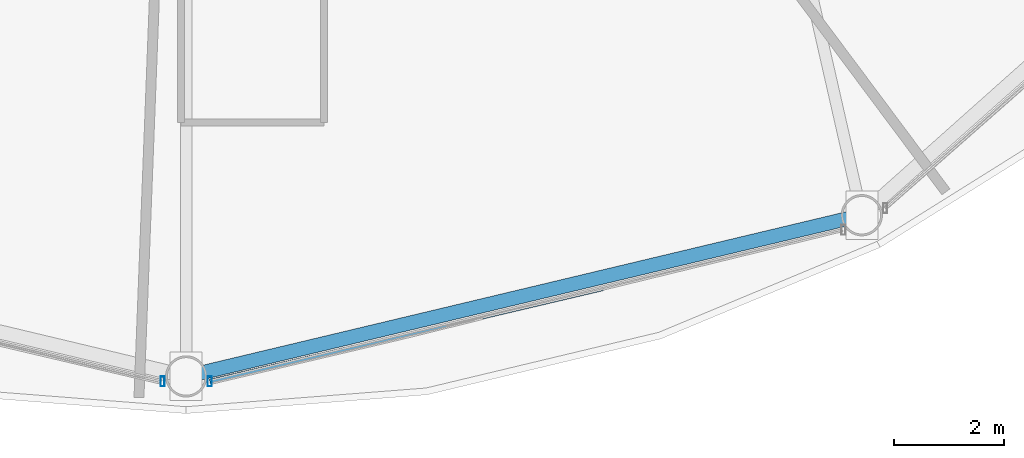
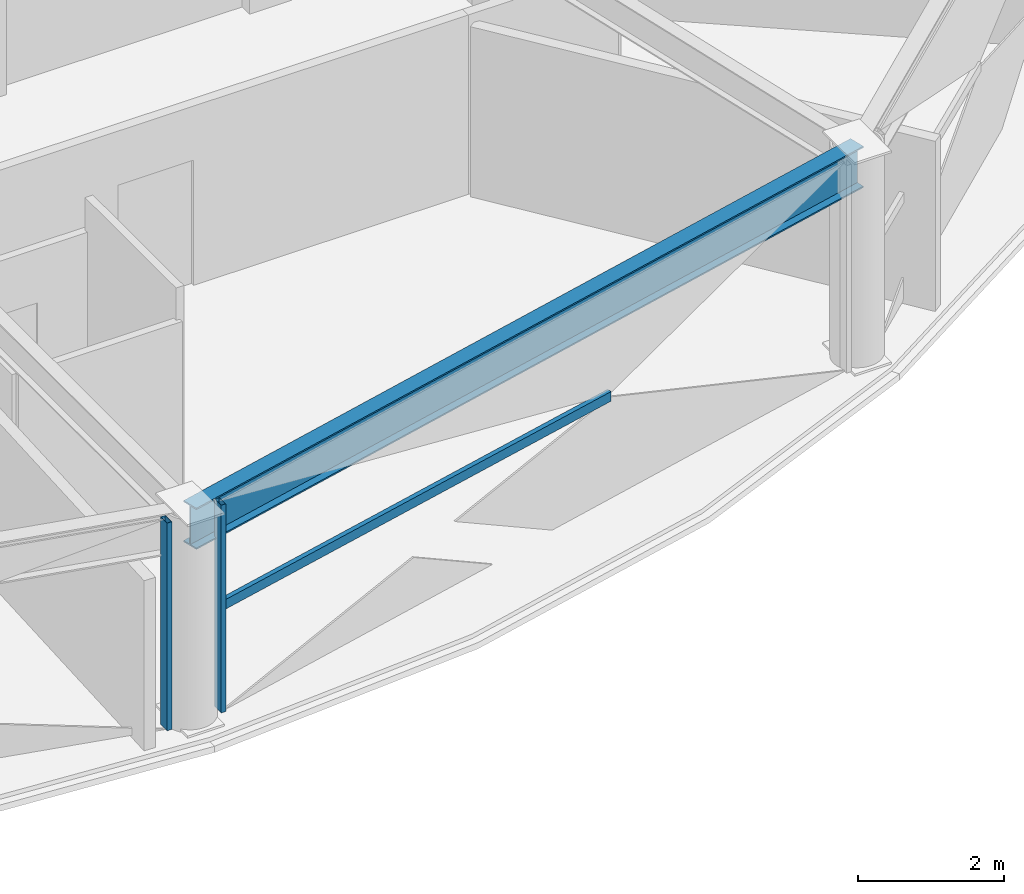
# One storey, part 5 of 29: 3 members, 1 beam, 2 elements without a shape of their own.
"""IFC4 building model written with IfcOpenShell, lengths in metres."""

from ifc_helpers import new_model, si_unit, direction, frame, origin, origin_2d, place, context, subcontext, project, spatial, hollow_rectangle, i_section, extrude, material, layer, layer_set, material_profile, profile_set, type_object, element, aggregate, save


model = new_model("IFC4")

# Units and contexts
model_context = context("Model", 3, precision=1e-05, world=origin(), true_north=direction((0.0, 1.0)))
body_context = subcontext(model_context, "Body", "Model", "MODEL_VIEW")
ifc_project = project(units=[si_unit("LENGTHUNIT", "METRE"), si_unit("AREAUNIT", "SQUARE_METRE"), si_unit("VOLUMEUNIT", "CUBIC_METRE"), si_unit("PLANEANGLEUNIT", "RADIAN"), si_unit("MASSUNIT", "GRAM", prefix="KILO")], contexts=[model_context])

# Site, building, storey
site_placement = place(None, origin())
site = spatial("IfcSite", under=ifc_project, at=site_placement, CompositionType="ELEMENT")
building_placement = place(site_placement, origin())
building = spatial("IfcBuilding", under=site, at=building_placement, Name="Vantalir Tower", CompositionType="ELEMENT")
storey_placement = place(building_placement, frame((0.0, 0.0, 168.449951171875)))
storey = spatial("IfcBuildingStorey", under=building, at=storey_placement, Name="L42", CompositionType="ELEMENT", Elevation=168.449951171875)

# Beam
ifc_material_1 = material(Name="Steel S460", Category="steel")
ifc_material_profile_1 = material_profile(ifc_material_1, i_section(OverallWidth=0.256103515625, OverallDepth=0.693115234375, WebThickness=0.014404296875, FlangeThickness=0.023681640625, at=origin_2d()), Name="Steel S460")
ifc_profile_set_1 = profile_set([ifc_material_profile_1], Name="Steel S460")
beam_type = type_object("IfcBeamType", Name="BM-RG-686x254", PredefinedType="USERDEFINED", material=ifc_profile_set_1)
beam_placement = place(storey_placement, frame((31.5, 3.152099609375, 3.22412109375), z_axis=(0.972698315596, 0.232073235934, 0.0), x_axis=(-0.232073235934, 0.972698315596, 0.0)))
element("IfcBeam", 1, at=beam_placement, inside=storey, type_object=beam_type, Name="L42 Circumferential Ring Girder 10", ObjectType="GIRDER", PredefinedType="USERDEFINED", context=body_context, shape_type="SweptSolid", body=[
    extrude(i_section(OverallWidth=0.256103515625, OverallDepth=0.693115234375, WebThickness=0.014404296875, FlangeThickness=0.023681640625, at=origin_2d()), origin(), (0.0, 0.0, 1.0), 12.6123046875),
])

# Curtain wall, member
ifc_material_2 = material(Name="Champagne-silver PVDF aluminium and double-silver Low-E glass", Category="aluminium")
ifc_layer = layer(ifc_material_2, 0.199951171875)
ifc_layer_set = layer_set([ifc_layer], Name="Champagne-silver PVDF aluminium and double-silver Low-E glass")
curtain_wall_type = type_object("IfcCurtainWallType", Name="CW-DIAMOND-Z2", PredefinedType="USERDEFINED", material=ifc_layer_set)
curtain_wall_1_placement = place(storey_placement, origin())
curtain_wall_1 = element("IfcCurtainWall", 2, at=curtain_wall_1_placement, inside=storey, type_object=curtain_wall_type, Name="L42 Quilted Pyramid-Diamond Curtain Wall S09", ObjectType="UNITISED CURTAIN WALL", PredefinedType="USERDEFINED")
ifc_material_3 = material(Name="Champagne-silver PVDF aluminium 6063-T6", Category="aluminium")
ifc_material_profile_2 = material_profile(ifc_material_3, hollow_rectangle(XDim=0.074951171875, YDim=0.179931640625, WallThickness=0.00390625, at=origin_2d()), Name="Champagne-silver PVDF aluminium 6063-T6")
ifc_profile_set_2 = profile_set([ifc_material_profile_2], Name="Champagne-silver PVDF aluminium 6063-T6")
member_type_1 = type_object("IfcMemberType", Name="CWM-180x75", PredefinedType="MULLION", material=ifc_profile_set_2)
member_1_placement = place(storey_placement, frame((31.072021484375, 3.06396484375, 0.045166015625), z_axis=(0.0, 0.0, 1.0), x_axis=(1.0, 0.0, 0.0)))
member_1 = element("IfcMember", 3, at=member_1_placement, type_object=member_type_1, Name="CW-L42-S09 Mullion 2", PredefinedType="MULLION", context=body_context, shape_type="SweptSolid", body=[
    extrude(hollow_rectangle(XDim=0.074951171875, YDim=0.179931640625, WallThickness=0.00390625, at=origin_2d()), origin(), (0.0, 0.0, 1.0), 3.47998046875),
])
aggregate(curtain_wall_1, [member_1])

# Curtain wall, members
curtain_wall_2_placement = place(storey_placement, origin())
curtain_wall_2 = element("IfcCurtainWall", 4, at=curtain_wall_2_placement, inside=storey, type_object=curtain_wall_type, Name="L42 Quilted Pyramid-Diamond Curtain Wall S10", ObjectType="UNITISED CURTAIN WALL", PredefinedType="USERDEFINED")
member_2_placement = place(storey_placement, frame((31.927978515625, 3.06396484375, 0.045166015625), z_axis=(0.0, 0.0, 1.0), x_axis=(1.0, 0.0, 0.0)))
member_2 = element("IfcMember", 5, at=member_2_placement, type_object=member_type_1, Name="CW-L42-S10 Mullion 1", PredefinedType="MULLION", context=body_context, shape_type="SweptSolid", body=[
    extrude(hollow_rectangle(XDim=0.074951171875, YDim=0.179931640625, WallThickness=0.00390625, at=origin_2d()), origin(), (0.0, 0.0, 1.0), 3.47998046875),
])
ifc_material_profile_3 = material_profile(ifc_material_3, hollow_rectangle(XDim=0.074951171875, YDim=0.159912109375, WallThickness=0.00390625, at=origin_2d()), Name="Champagne-silver PVDF aluminium 6063-T6")
ifc_profile_set_3 = profile_set([ifc_material_profile_3], Name="Champagne-silver PVDF aluminium 6063-T6")
member_type_2 = type_object("IfcMemberType", Name="CWT-160x75", PredefinedType="USERDEFINED", material=ifc_profile_set_3)
member_3_placement = place(storey_placement, frame((31.927978515625, 3.06396484375, 1.78515625), z_axis=(0.973374392965, 0.229221052961, 0.0), x_axis=(-0.229221052961, 0.973374392965, 0.0)))
member_3 = element("IfcMember", 6, at=member_3_placement, type_object=member_type_2, Name="CW-L42-S10 Pyramid Fold Ridge Transom", ObjectType="TRANSOM", PredefinedType="USERDEFINED", context=body_context, shape_type="SweptSolid", body=[
    extrude(hollow_rectangle(XDim=0.074951171875, YDim=0.159912109375, WallThickness=0.00390625, at=origin_2d()), origin(), (0.0, 0.0, 1.0), 7.33837890625),
])
aggregate(curtain_wall_2, [member_2, member_3])

save(model, "model.ifc")
